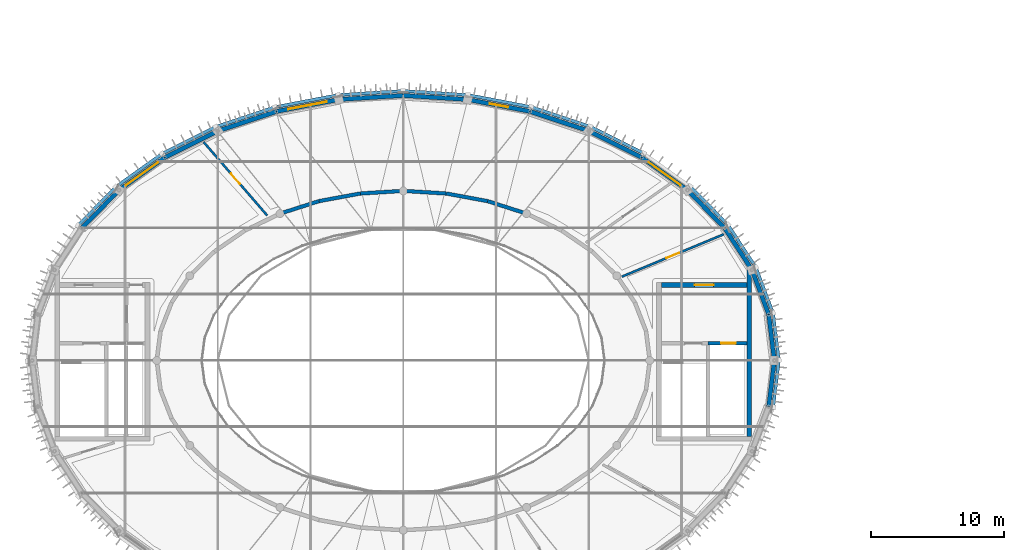
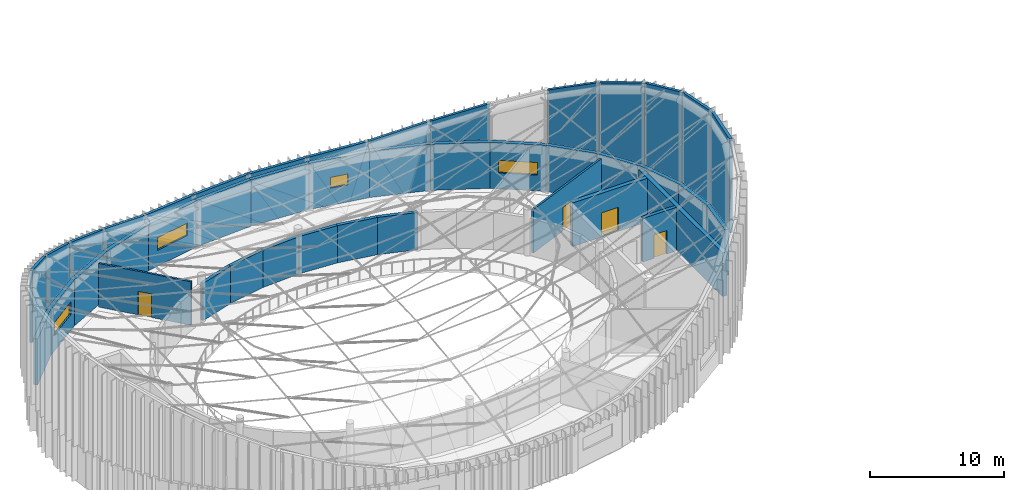
# One storey, part 27 of 36: 42 walls, 4 doors, 4 windows, 8 openings.
"""IFC4 building model written with IfcOpenShell, lengths in metres."""

from ifc_helpers import new_model, si_unit, direction, frame, frame_2d, origin, place, context, subcontext, project, spatial, polyline, rectangle, outline, extrude, material, layer, layer_set, type_object, element, fill, save


model = new_model("IFC4")

# Units and contexts
model_context = context("Model", 3, precision=1e-05, world=origin(), true_north=direction((0.0, 1.0)))
body_context = subcontext(model_context, "Body", "Model", "MODEL_VIEW")
ifc_project = project(units=[si_unit("LENGTHUNIT", "METRE"), si_unit("AREAUNIT", "SQUARE_METRE"), si_unit("VOLUMEUNIT", "CUBIC_METRE"), si_unit("PLANEANGLEUNIT", "RADIAN"), si_unit("MASSUNIT", "GRAM", prefix="KILO")], contexts=[model_context])

# Site, building, storey
site_placement = place(None, origin())
site = spatial("IfcSite", under=ifc_project, at=site_placement, CompositionType="ELEMENT")
building_placement = place(site_placement, origin())
building = spatial("IfcBuilding", under=site, at=building_placement, Name="Tarnveldt Headland Concert Hall", CompositionType="ELEMENT")
storey_placement = place(building_placement, frame((0.0, 0.0, 22.800048828125)))
storey = spatial("IfcBuildingStorey", under=building, at=storey_placement, Name="L05", CompositionType="ELEMENT", Elevation=22.800048828125)

# Walls
ifc_material_1 = material(Name="Concrete C40/50", Category="concrete")
ifc_layer_1 = layer(ifc_material_1, 0.324951171875, Name="Concrete C40/50", Category="concrete")
ifc_layer_set_1 = layer_set([ifc_layer_1], Name="Concrete C40/50")
wall_type_1 = type_object("IfcWallType", Name="WL-CR325", PredefinedType="SHEAR", material=ifc_layer_set_1)
wall_1_placement = place(storey_placement, frame((111.5, 54.5, 0.0), z_axis=(0.0, 0.0, 1.0), x_axis=(-0.121552414401, 0.99258501427, 0.0)))
element("IfcWall", 1, at=wall_1_placement, inside=storey, type_object=wall_type_1, Name="Symphony drum shear wall L05-1", PredefinedType="SHEAR", context=body_context, shape_type="SweptSolid", body=[
    extrude(rectangle(XDim=3.498779296875, YDim=0.324951171875, at=frame_2d((1.74951171875, 0.0))), origin(), (0.0, 0.0, 1.0), 4.199951171875),
])
wall_2_placement = place(storey_placement, frame((111.07470703125, 57.972900390625, 0.0), z_axis=(0.0, 0.0, 1.0), x_axis=(-0.351279653979, 0.936270583058, 0.0)))
element("IfcWall", 2, at=wall_2_placement, inside=storey, type_object=wall_type_1, Name="Symphony drum shear wall L05-2", PredefinedType="SHEAR", context=body_context, shape_type="SweptSolid", body=[
    extrude(rectangle(XDim=3.5966796875, YDim=0.324951171875, at=frame_2d((1.79833984375, 0.0))), origin(), (0.0, 0.0, 1.0), 4.199951171875),
])
wall_3_placement = place(storey_placement, frame((109.811279296875, 61.34033203125, 0.0), z_axis=(0.0, 0.0, 1.0), x_axis=(-0.546611158382, 0.837386554425, 0.0)))
element("IfcWall", 3, at=wall_3_placement, inside=storey, type_object=wall_type_1, Name="Symphony drum shear wall L05-3", PredefinedType="SHEAR", context=body_context, shape_type="SweptSolid", body=[
    extrude(rectangle(XDim=3.773193359375, YDim=0.324951171875, at=frame_2d((1.88671875, 0.0))), origin(), (0.0, 0.0, 1.0), 4.199951171875),
])
wall_4_placement = place(storey_placement, frame((107.748779296875, 64.5, 0.0), z_axis=(0.0, 0.0, 1.0), x_axis=(-0.700051268358, 0.714092586203, 0.0)))
element("IfcWall", 4, at=wall_4_placement, inside=storey, type_object=wall_type_1, Name="Symphony drum shear wall L05-4", PredefinedType="SHEAR", context=body_context, shape_type="SweptSolid", body=[
    extrude(rectangle(XDim=3.9990234375, YDim=0.324951171875, at=frame_2d((1.99951171875, 0.0))), origin(), (0.0, 0.0, 1.0), 4.199951171875),
])

# Wall, opening, window
wall_5_placement = place(storey_placement, frame((104.94921875, 67.355712890625, 0.0), z_axis=(0.0, 0.0, 1.0), x_axis=(-0.813737360708, 0.581232748378, 0.0)))
wall_5 = element("IfcWall", 5, at=wall_5_placement, inside=storey, type_object=wall_type_1, Name="Symphony drum shear wall L05-5", PredefinedType="SHEAR", context=body_context, shape_type="SweptSolid", body=[
    extrude(rectangle(XDim=4.2412109375, YDim=0.324951171875, at=frame_2d((2.12060546875, 0.0))), origin(), (0.0, 0.0, 1.0), 4.199951171875),
])
opening_1_placement = place(wall_5_placement, frame((0.6455078125, 0.0, 1.449951171875)))
opening_1 = element("IfcOpeningElement", 6, at=opening_1_placement, cuts=wall_5, Name="Opening W-D016", PredefinedType="OPENING", context=body_context, shape_type="SweptSolid", body=[
    extrude(rectangle(XDim=2.949951171875, YDim=1.14990234375, at=frame_2d((1.47509765625, 0.574951171875))), frame((0.0, 0.17236328125, 0.0), z_axis=(0.0, -1.0, 0.0), x_axis=(1.0, 0.0, 0.0)), (0.0, 0.0, 1.0), 0.344970703125),
])
ifc_material_2 = material(Name="Acoustic laminated low-iron double glazing", Category="glass")
window_type_1 = type_object("IfcWindowType", Name="WN-23", PartitioningType="SINGLE_PANEL", PredefinedType="WINDOW", material=ifc_material_2)
window_1_placement = place(opening_1_placement, origin())
window_1 = element("IfcWindow", 7, at=window_1_placement, inside=storey, type_object=window_type_1, Name="Drum acoustic gallery window L05-5", OverallHeight=1.14990234375, OverallWidth=2.949951171875, PartitioningType="SINGLE_PANEL", PredefinedType="WINDOW", context=body_context, shape_type="SweptSolid", body=[
    extrude(rectangle(XDim=2.949951171875, YDim=1.14990234375, at=frame_2d((1.47509765625, 0.574951171875))), frame((0.0, 0.030029296875, 0.0), z_axis=(0.0, -1.0, 0.0), x_axis=(1.0, 0.0, 0.0)), (0.0, 0.0, 1.0), 0.06005859375),
])
fill(opening_1, window_1)

# Walls
wall_6_placement = place(storey_placement, frame((101.498046875, 69.82080078125, 0.0), z_axis=(0.0, 0.0, 1.0), x_axis=(-0.894361644392, 0.447344664705, 0.0)))
element("IfcWall", 8, at=wall_6_placement, inside=storey, type_object=wall_type_1, Name="Symphony drum shear wall L05-6", PredefinedType="SHEAR", context=body_context, shape_type="SweptSolid", body=[
    extrude(rectangle(XDim=4.47021484375, YDim=0.324951171875, at=frame_2d((2.235107421875, 0.0))), origin(), (0.0, 0.0, 1.0), 4.199951171875),
])
wall_7_placement = place(storey_placement, frame((97.5, 71.820556640625, 0.0), z_axis=(0.0, 0.0, 1.0), x_axis=(-0.948751350732, 0.316023534699, 0.0)))
element("IfcWall", 9, at=wall_7_placement, inside=storey, type_object=wall_type_1, Name="Symphony drum shear wall L05-7", PredefinedType="SHEAR", context=body_context, shape_type="SweptSolid", body=[
    extrude(rectangle(XDim=4.662353515625, YDim=0.324951171875, at=frame_2d((2.3310546875, 0.0))), origin(), (0.0, 0.0, 1.0), 4.199951171875),
])

# Wall, opening, window
wall_8_placement = place(storey_placement, frame((93.07666015625, 73.2939453125, 0.0), z_axis=(0.0, 0.0, 1.0), x_axis=(-0.982172578083, 0.187981453503, 0.0)))
wall_8 = element("IfcWall", 10, at=wall_8_placement, inside=storey, type_object=wall_type_1, Name="Symphony drum shear wall L05-8", PredefinedType="SHEAR", context=body_context, shape_type="SweptSolid", body=[
    extrude(rectangle(XDim=4.80029296875, YDim=0.324951171875, at=frame_2d((2.400146484375, 0.0))), origin(), (0.0, 0.0, 1.0), 4.199951171875),
])
opening_2_placement = place(wall_8_placement, frame((1.699951171875, 0.0, 1.550048828125)))
opening_2 = element("IfcOpeningElement", 11, at=opening_2_placement, cuts=wall_8, Name="Opening W-D017", PredefinedType="OPENING", context=body_context, shape_type="SweptSolid", body=[
    extrude(rectangle(XDim=1.39990234375, YDim=1.0, at=frame_2d((0.699951171875, 0.5))), frame((0.0, 0.17236328125, 0.0), z_axis=(0.0, -1.0, 0.0), x_axis=(1.0, 0.0, 0.0)), (0.0, 0.0, 1.0), 0.344970703125),
])
window_type_2 = type_object("IfcWindowType", Name="WN-27", PartitioningType="SINGLE_PANEL", PredefinedType="WINDOW", material=ifc_material_2)
window_2_placement = place(opening_2_placement, origin())
window_2 = element("IfcWindow", 12, at=window_2_placement, inside=storey, type_object=window_type_2, Name="Drum acoustic gallery window L05-8", OverallHeight=1.0, OverallWidth=1.39990234375, PartitioningType="SINGLE_PANEL", PredefinedType="WINDOW", context=body_context, shape_type="SweptSolid", body=[
    extrude(rectangle(XDim=1.39990234375, YDim=1.0, at=frame_2d((0.699951171875, 0.5))), frame((0.0, 0.030029296875, 0.0), z_axis=(0.0, -1.0, 0.0), x_axis=(1.0, 0.0, 0.0)), (0.0, 0.0, 1.0), 0.06005859375),
])
fill(opening_2, window_2)

# Walls
for number, where, z_axis, x_axis, name in (
    (13, (88.362060546875, 74.1962890625, 0.0), (0.0, 0.0, 1.0), (-0.998054722924, 0.06234396562, 0.0), "Symphony drum shear wall L05-9"),
    (14, (83.5, 74.5, 0.0), (0.0, 0.0, 1.0), (-0.998054722924, -0.06234396562, 0.0), "Symphony drum shear wall L05-10"),
):
    element("IfcWall", number, at=place(storey_placement, frame(where, z_axis=z_axis, x_axis=x_axis)), inside=storey, type_object=wall_type_1, Name=name, PredefinedType="SHEAR", context=body_context, shape_type="SweptSolid", body=[
        extrude(rectangle(XDim=4.87158203125, YDim=0.324951171875, at=frame_2d((2.435791015625, 0.0))), origin(), (0.0, 0.0, 1.0), 4.199951171875),
    ])

# Wall, opening, window
wall_9_placement = place(storey_placement, frame((78.637939453125, 74.1962890625, 0.0), z_axis=(0.0, 0.0, 1.0), x_axis=(-0.982172578083, -0.187981453503, 0.0)))
wall_9 = element("IfcWall", 15, at=wall_9_placement, inside=storey, type_object=wall_type_1, Name="Symphony drum shear wall L05-11", PredefinedType="SHEAR", context=body_context, shape_type="SweptSolid", body=[
    extrude(rectangle(XDim=4.80029296875, YDim=0.324951171875, at=frame_2d((2.400146484375, 0.0))), origin(), (0.0, 0.0, 1.0), 4.199951171875),
])
opening_3_placement = place(wall_9_placement, frame((0.925048828125, 0.0, 1.449951171875)))
opening_3 = element("IfcOpeningElement", 16, at=opening_3_placement, cuts=wall_9, Name="Opening W-D018", PredefinedType="OPENING", context=body_context, shape_type="SweptSolid", body=[
    extrude(rectangle(XDim=2.949951171875, YDim=1.14990234375, at=frame_2d((1.47509765625, 0.574951171875))), frame((0.0, 0.17236328125, 0.0), z_axis=(0.0, -1.0, 0.0), x_axis=(1.0, 0.0, 0.0)), (0.0, 0.0, 1.0), 0.344970703125),
])
window_3_placement = place(opening_3_placement, origin())
window_3 = element("IfcWindow", 17, at=window_3_placement, inside=storey, type_object=window_type_1, Name="Drum acoustic gallery window L05-11", OverallHeight=1.14990234375, OverallWidth=2.949951171875, PartitioningType="SINGLE_PANEL", PredefinedType="WINDOW", context=body_context, shape_type="SweptSolid", body=[
    extrude(rectangle(XDim=2.949951171875, YDim=1.14990234375, at=frame_2d((1.47509765625, 0.574951171875))), frame((0.0, 0.030029296875, 0.0), z_axis=(0.0, -1.0, 0.0), x_axis=(1.0, 0.0, 0.0)), (0.0, 0.0, 1.0), 0.06005859375),
])
fill(opening_3, window_3)

# Walls
wall_10_placement = place(storey_placement, frame((73.92333984375, 73.2939453125, 0.0), z_axis=(0.0, 0.0, 1.0), x_axis=(-0.948751350732, -0.316023534699, 0.0)))
element("IfcWall", 18, at=wall_10_placement, inside=storey, type_object=wall_type_1, Name="Symphony drum shear wall L05-12", PredefinedType="SHEAR", context=body_context, shape_type="SweptSolid", body=[
    extrude(rectangle(XDim=4.662353515625, YDim=0.324951171875, at=frame_2d((2.3310546875, 0.0))), origin(), (0.0, 0.0, 1.0), 4.199951171875),
])
wall_11_placement = place(storey_placement, frame((69.5, 71.820556640625, 0.0), z_axis=(0.0, 0.0, 1.0), x_axis=(-0.894361644392, -0.447344664705, 0.0)))
element("IfcWall", 19, at=wall_11_placement, inside=storey, type_object=wall_type_1, Name="Symphony drum shear wall L05-13", PredefinedType="SHEAR", context=body_context, shape_type="SweptSolid", body=[
    extrude(rectangle(XDim=4.47021484375, YDim=0.324951171875, at=frame_2d((2.235107421875, 0.0))), origin(), (0.0, 0.0, 1.0), 4.199951171875),
])

# Wall, opening, window
wall_12_placement = place(storey_placement, frame((65.501953125, 69.82080078125, 0.0), z_axis=(0.0, 0.0, 1.0), x_axis=(-0.813737360708, -0.581232748378, 0.0)))
wall_12 = element("IfcWall", 20, at=wall_12_placement, inside=storey, type_object=wall_type_1, Name="Symphony drum shear wall L05-14", PredefinedType="SHEAR", context=body_context, shape_type="SweptSolid", body=[
    extrude(rectangle(XDim=4.2412109375, YDim=0.324951171875, at=frame_2d((2.12060546875, 0.0))), origin(), (0.0, 0.0, 1.0), 4.199951171875),
])
opening_4_placement = place(wall_12_placement, frame((0.6455078125, 0.0, 1.449951171875)))
opening_4 = element("IfcOpeningElement", 21, at=opening_4_placement, cuts=wall_12, Name="Opening W-D019", PredefinedType="OPENING", context=body_context, shape_type="SweptSolid", body=[
    extrude(rectangle(XDim=2.949951171875, YDim=1.14990234375, at=frame_2d((1.47509765625, 0.574951171875))), frame((0.0, 0.17236328125, 0.0), z_axis=(0.0, -1.0, 0.0), x_axis=(1.0, 0.0, 0.0)), (0.0, 0.0, 1.0), 0.344970703125),
])
window_4_placement = place(opening_4_placement, origin())
window_4 = element("IfcWindow", 22, at=window_4_placement, inside=storey, type_object=window_type_1, Name="Drum acoustic gallery window L05-14", OverallHeight=1.14990234375, OverallWidth=2.949951171875, PartitioningType="SINGLE_PANEL", PredefinedType="WINDOW", context=body_context, shape_type="SweptSolid", body=[
    extrude(rectangle(XDim=2.949951171875, YDim=1.14990234375, at=frame_2d((1.47509765625, 0.574951171875))), frame((0.0, 0.030029296875, 0.0), z_axis=(0.0, -1.0, 0.0), x_axis=(1.0, 0.0, 0.0)), (0.0, 0.0, 1.0), 0.06005859375),
])
fill(opening_4, window_4)

# Walls
wall_13_placement = place(storey_placement, frame((62.05078125, 67.355712890625, 0.0), z_axis=(0.0, 0.0, 1.0), x_axis=(-0.700051268358, -0.714092586203, 0.0)))
element("IfcWall", 23, at=wall_13_placement, inside=storey, type_object=wall_type_1, Name="Symphony drum shear wall L05-15", PredefinedType="SHEAR", context=body_context, shape_type="SweptSolid", body=[
    extrude(rectangle(XDim=3.9990234375, YDim=0.324951171875, at=frame_2d((1.99951171875, 0.0))), origin(), (0.0, 0.0, 1.0), 4.199951171875),
])
wall_14_placement = place(storey_placement, frame((111.07470703125, 51.027099609375, 0.0), z_axis=(0.0, 0.0, 1.0), x_axis=(0.121552414401, 0.99258501427, 0.0)))
element("IfcWall", 24, at=wall_14_placement, inside=storey, type_object=wall_type_1, Name="Symphony drum shear wall L05-36", PredefinedType="SHEAR", context=body_context, shape_type="SweptSolid", body=[
    extrude(rectangle(XDim=3.498779296875, YDim=0.324951171875, at=frame_2d((1.74951171875, 0.0))), origin(), (0.0, 0.0, 1.0), 4.199951171875),
])

# Wall, opening, door
ifc_layer_2 = layer(ifc_material_1, 0.35009765625, Name="Concrete C40/50", Category="concrete")
ifc_layer_set_2 = layer_set([ifc_layer_2], Name="Concrete C40/50")
wall_type_2 = type_object("IfcWallType", Name="WL-CR350", PredefinedType="SHEAR", material=ifc_layer_set_2)
wall_15_placement = place(storey_placement, frame((102.97509765625, 60.199951171875, 0.0), z_axis=(0.0, 0.0, 1.0), x_axis=(1.0, 0.0, 0.0)))
wall_15 = element("IfcWall", 25, at=wall_15_placement, inside=storey, type_object=wall_type_2, Name="Core C2 north shear wall L05", PredefinedType="SHEAR", context=body_context, shape_type="SweptSolid", body=[
    extrude(rectangle(XDim=6.449951171875, YDim=0.35009765625, at=frame_2d((3.22509765625, 0.0))), origin(), (0.0, 0.0, 1.0), 3.97998046875),
])
opening_5_placement = place(wall_15_placement, frame((2.5, 0.0, 0.0)))
opening_5 = element("IfcOpeningElement", 26, at=opening_5_placement, cuts=wall_15, Name="Opening LBD-C2-L05", PredefinedType="OPENING", context=body_context, shape_type="SweptSolid", body=[
    extrude(rectangle(XDim=1.449951171875, YDim=2.199951171875, at=frame_2d((0.72509765625, 1.10009765625))), frame((0.0, 0.18505859375, 0.0), z_axis=(0.0, -1.0, 0.0), x_axis=(1.0, 0.0, 0.0)), (0.0, 0.0, 1.0), 0.3701171875),
])
ifc_material_3 = material(Name="Galvanised painted steel sheet", Category="steel")
door_type_1 = type_object("IfcDoorType", Name="DR-LB145", OperationType="NOTDEFINED", PredefinedType="DOOR", material=ifc_material_3)
door_1_placement = place(opening_5_placement, origin())
door_1 = element("IfcDoor", 27, at=door_1_placement, inside=storey, type_object=door_type_1, Name="Core C2 lobby entrance door L05", OperationType="SINGLE_SWING_RIGHT", OverallHeight=2.199951171875, OverallWidth=1.449951171875, PredefinedType="DOOR", context=body_context, shape_type="SweptSolid", body=[
    extrude(rectangle(XDim=1.449951171875, YDim=2.199951171875, at=frame_2d((0.72509765625, 1.10009765625))), frame((0.0, 0.02490234375, 0.0), z_axis=(0.0, -1.0, 0.0), x_axis=(1.0, 0.0, 0.0)), (0.0, 0.0, 1.0), 0.050048828125),
])
fill(opening_5, door_1)

# Walls
wall_16_placement = place(storey_placement, frame((109.60009765625, 48.77490234375, 0.0), z_axis=(0.0, 0.0, 1.0), x_axis=(0.0, 1.0, 0.0)))
element("IfcWall", 28, at=wall_16_placement, inside=storey, type_object=wall_type_2, Name="Core C2 east shear wall L05", PredefinedType="SHEAR", context=body_context, shape_type="SweptSolid", body=[
    extrude(rectangle(XDim=12.565185546875, YDim=0.35009765625, at=frame_2d((6.28271484375, 0.0))), origin(), (0.0, 0.0, 1.0), 3.97998046875),
])
ifc_material_4 = material(Name="Coral-toned precast concrete C40/50", Category="concrete")
ifc_layer_3 = layer(ifc_material_4, 0.239990234375, Name="Coral-toned precast concrete C40/50", Category="concrete")
ifc_layer_set_3 = layer_set([ifc_layer_3], Name="Coral-toned precast concrete C40/50")
wall_type_3 = type_object("IfcWallType", Name="WL-EX240", PredefinedType="SOLIDWALL", material=ifc_layer_set_3)
wall_17_placement = place(storey_placement, frame((111.83740234375, 54.541259765625, 3.800048828125), z_axis=(0.0, 0.0, 1.0), x_axis=(-0.121543996247, 0.992586045125, 0.0)))
element("IfcWall", 29, at=wall_17_placement, inside=storey, type_object=wall_type_3, Name="Crown saddle acoustic tympanum panel 1", PredefinedType="SOLIDWALL", context=body_context, shape_type="SweptSolid", body=[
    extrude(outline(polyline([(0.0, 0.0), (3.4990234375, 0.0), (3.4990234375, 8.554443359375), (0.0, 8.81982421875), (0.0, 0.0)])), frame((0.0, 0.1201171875, 0.0), z_axis=(0.0, -1.0, 0.0), x_axis=(1.0, 0.0, 0.0)), (0.0, 0.0, 1.0), 0.239990234375),
])
wall_18_placement = place(storey_placement, frame((111.392822265625, 58.09228515625, 3.800048828125), z_axis=(0.0, 0.0, 1.0), x_axis=(-0.351220147955, 0.936292906985, 0.0)))
element("IfcWall", 30, at=wall_18_placement, inside=storey, type_object=wall_type_3, Name="Crown saddle acoustic tympanum panel 2", PredefinedType="SOLIDWALL", context=body_context, shape_type="SweptSolid", body=[
    extrude(outline(polyline([(0.0, 0.0), (3.5966796875, 0.0), (3.596435546875, 7.79052734375), (0.0, 8.554443359375), (0.0, 0.0)])), frame((0.0, 0.1201171875, 0.0), z_axis=(0.0, -1.0, 0.0), x_axis=(1.0, 0.0, 0.0)), (0.0, 0.0, 1.0), 0.239990234375),
])
wall_19_placement = place(storey_placement, frame((110.09619140625, 61.5263671875, 3.800048828125), z_axis=(0.0, 0.0, 1.0), x_axis=(-0.546686144595, 0.837337601752, 0.0)))
element("IfcWall", 31, at=wall_19_placement, inside=storey, type_object=wall_type_3, Name="Crown saddle acoustic tympanum panel 3", PredefinedType="SOLIDWALL", context=body_context, shape_type="SweptSolid", body=[
    extrude(outline(polyline([(0.0, 0.0), (3.773193359375, 0.0), (3.773193359375, 6.619873046875), (0.0, 7.79052734375), (0.0, 0.0)])), frame((0.0, 0.1201171875, 0.0), z_axis=(0.0, -1.0, 0.0), x_axis=(1.0, 0.0, 0.0)), (0.0, 0.0, 1.0), 0.239990234375),
])
wall_20_placement = place(storey_placement, frame((107.991455078125, 64.738037109375, 3.800048828125), z_axis=(0.0, 0.0, 1.0), x_axis=(-0.700051268358, 0.714092586203, 0.0)))
element("IfcWall", 32, at=wall_20_placement, inside=storey, type_object=wall_type_3, Name="Crown saddle acoustic tympanum panel 4", PredefinedType="SOLIDWALL", context=body_context, shape_type="SweptSolid", body=[
    extrude(outline(polyline([(0.0, 0.0), (3.9990234375, 0.0), (3.9990234375, 5.183837890625), (0.0, 6.619873046875), (0.0, 0.0)])), frame((0.0, 0.1201171875, 0.0), z_axis=(0.0, -1.0, 0.0), x_axis=(1.0, 0.0, 0.0)), (0.0, 0.0, 1.0), 0.239990234375),
])
wall_21_placement = place(storey_placement, frame((101.650146484375, 70.125, 3.800048828125), z_axis=(0.0, 0.0, 1.0), x_axis=(-0.894383494328, 0.447300978172, 0.0)))
element("IfcWall", 33, at=wall_21_placement, inside=storey, type_object=wall_type_3, Name="Crown saddle acoustic tympanum panel 6", PredefinedType="SOLIDWALL", context=body_context, shape_type="SweptSolid", body=[
    extrude(outline(polyline([(0.0, 0.0), (4.47021484375, 0.0), (4.47021484375, 2.219970703125), (0.0, 3.656005859375), (0.0, 0.0)])), frame((0.0, 0.1201171875, 0.0), z_axis=(0.0, -1.0, 0.0), x_axis=(1.0, 0.0, 0.0)), (0.0, 0.0, 1.0), 0.239990234375),
])
wall_22_placement = place(storey_placement, frame((97.607421875, 72.14306640625, 3.800048828125), z_axis=(0.0, 0.0, 1.0), x_axis=(-0.948751350732, 0.316023534699, 0.0)))
element("IfcWall", 34, at=wall_22_placement, inside=storey, type_object=wall_type_3, Name="Crown saddle acoustic tympanum panel 7", PredefinedType="SOLIDWALL", context=body_context, shape_type="SweptSolid", body=[
    extrude(outline(polyline([(0.0, 0.0), (4.662353515625, 0.0), (4.662353515625, 1.04931640625), (0.0, 2.219970703125), (0.0, 0.0)])), frame((0.0, 0.1201171875, 0.0), z_axis=(0.0, -1.0, 0.0), x_axis=(1.0, 0.0, 0.0)), (0.0, 0.0, 1.0), 0.239990234375),
])
wall_23_placement = place(storey_placement, frame((93.140380859375, 73.627685546875, 3.800048828125), z_axis=(0.0, 0.0, 1.0), x_axis=(-0.98217078068, 0.187990844401, 0.0)))
element("IfcWall", 35, at=wall_23_placement, inside=storey, type_object=wall_type_3, Name="Crown saddle acoustic tympanum panel 8", PredefinedType="SOLIDWALL", context=body_context, shape_type="SweptSolid", body=[
    extrude(outline(polyline([(0.0, 0.0), (4.800048828125, 0.0), (4.800048828125, 0.699951171875), (0.0, 1.04931640625), (0.0, 0.0)])), frame((0.0, 0.1201171875, 0.0), z_axis=(0.0, -1.0, 0.0), x_axis=(1.0, 0.0, 0.0)), (0.0, 0.0, 1.0), 0.239990234375),
])
for number, where, z_axis, x_axis, name in (
    (36, (88.38330078125, 74.535400390625, 3.800048828125), (0.0, 0.0, 1.0), (-0.99805160335, 0.062393886325, 0.0), "Crown saddle acoustic tympanum panel 9"),
    (37, (83.478759765625, 74.83935546875, 3.800048828125), (0.0, 0.0, 1.0), (-0.99805160335, -0.062393886325, 0.0), "Crown saddle acoustic tympanum panel 10"),
):
    element("IfcWall", number, at=place(storey_placement, frame(where, z_axis=z_axis, x_axis=x_axis)), inside=storey, type_object=wall_type_3, Name=name, PredefinedType="SOLIDWALL", context=body_context, shape_type="SweptSolid", body=[
        extrude(outline(polyline([(0.0, 0.0), (4.87158203125, 0.0), (4.87158203125, 0.699951171875), (0.0, 0.699951171875), (0.0, 0.0)])), frame((0.0, 0.1201171875, 0.0), z_axis=(0.0, -1.0, 0.0), x_axis=(1.0, 0.0, 0.0)), (0.0, 0.0, 1.0), 0.239990234375),
    ])
wall_24_placement = place(storey_placement, frame((78.573974609375, 74.530029296875, 3.800048828125), z_axis=(0.0, 0.0, 1.0), x_axis=(-0.98217078068, -0.187990844401, 0.0)))
element("IfcWall", 38, at=wall_24_placement, inside=storey, type_object=wall_type_3, Name="Crown saddle acoustic tympanum panel 11", PredefinedType="SOLIDWALL", context=body_context, shape_type="SweptSolid", body=[
    extrude(outline(polyline([(0.0, 0.0), (4.800048828125, 0.0), (4.800048828125, 1.04931640625), (0.0, 0.699951171875), (0.0, 0.0)])), frame((0.0, 0.1201171875, 0.0), z_axis=(0.0, -1.0, 0.0), x_axis=(1.0, 0.0, 0.0)), (0.0, 0.0, 1.0), 0.239990234375),
])
wall_25_placement = place(storey_placement, frame((73.81591796875, 73.616455078125, 3.800048828125), z_axis=(0.0, 0.0, 1.0), x_axis=(-0.948751350732, -0.316023534699, 0.0)))
element("IfcWall", 39, at=wall_25_placement, inside=storey, type_object=wall_type_3, Name="Crown saddle acoustic tympanum panel 12", PredefinedType="SOLIDWALL", context=body_context, shape_type="SweptSolid", body=[
    extrude(outline(polyline([(0.0, 0.0), (4.662353515625, 0.0), (4.662353515625, 2.219970703125), (0.0, 1.04931640625), (0.0, 0.0)])), frame((0.0, 0.1201171875, 0.0), z_axis=(0.0, -1.0, 0.0), x_axis=(1.0, 0.0, 0.0)), (0.0, 0.0, 1.0), 0.239990234375),
])
wall_26_placement = place(storey_placement, frame((69.347900390625, 72.12451171875, 3.800048828125), z_axis=(0.0, 0.0, 1.0), x_axis=(-0.894383494328, -0.447300978172, 0.0)))
element("IfcWall", 40, at=wall_26_placement, inside=storey, type_object=wall_type_3, Name="Crown saddle acoustic tympanum panel 13", PredefinedType="SOLIDWALL", context=body_context, shape_type="SweptSolid", body=[
    extrude(outline(polyline([(0.0, 0.0), (4.47021484375, 0.0), (4.47021484375, 3.656005859375), (0.0, 2.219970703125), (0.0, 0.0)])), frame((0.0, 0.1201171875, 0.0), z_axis=(0.0, -1.0, 0.0), x_axis=(1.0, 0.0, 0.0)), (0.0, 0.0, 1.0), 0.239990234375),
])
wall_27_placement = place(storey_placement, frame((65.30419921875, 70.09765625, 3.800048828125), z_axis=(0.0, 0.0, 1.0), x_axis=(-0.813717912107, -0.581259975843, 0.0)))
element("IfcWall", 41, at=wall_27_placement, inside=storey, type_object=wall_type_3, Name="Crown saddle acoustic tympanum panel 14", PredefinedType="SOLIDWALL", context=body_context, shape_type="SweptSolid", body=[
    extrude(outline(polyline([(0.0, 0.0), (4.240966796875, 0.0), (4.2412109375, 5.183837890625), (0.0, 3.656005859375), (0.0, 0.0)])), frame((0.0, 0.1201171875, 0.0), z_axis=(0.0, -1.0, 0.0), x_axis=(1.0, 0.0, 0.0)), (0.0, 0.0, 1.0), 0.239990234375),
])
wall_28_placement = place(storey_placement, frame((61.80810546875, 67.59375, 3.800048828125), z_axis=(0.0, 0.0, 1.0), x_axis=(-0.700051268358, -0.714092586203, 0.0)))
element("IfcWall", 42, at=wall_28_placement, inside=storey, type_object=wall_type_3, Name="Crown saddle acoustic tympanum panel 15", PredefinedType="SOLIDWALL", context=body_context, shape_type="SweptSolid", body=[
    extrude(outline(polyline([(0.0, 0.0), (3.9990234375, 0.0), (3.9990234375, 6.619873046875), (0.0, 5.183837890625), (0.0, 0.0)])), frame((0.0, 0.1201171875, 0.0), z_axis=(0.0, -1.0, 0.0), x_axis=(1.0, 0.0, 0.0)), (0.0, 0.0, 1.0), 0.239990234375),
])
wall_29_placement = place(storey_placement, frame((111.412109375, 50.985595703125, 3.800048828125), z_axis=(0.0, 0.0, 1.0), x_axis=(0.121543996247, 0.992586045125, 0.0)))
element("IfcWall", 43, at=wall_29_placement, inside=storey, type_object=wall_type_3, Name="Crown saddle acoustic tympanum panel 36", PredefinedType="SOLIDWALL", context=body_context, shape_type="SweptSolid", body=[
    extrude(outline(polyline([(0.0, 0.0), (3.4990234375, 0.0), (3.4990234375, 8.81982421875), (0.0, 8.554443359375), (0.0, 0.0)])), frame((0.0, 0.1201171875, 0.0), z_axis=(0.0, -1.0, 0.0), x_axis=(1.0, 0.0, 0.0)), (0.0, 0.0, 1.0), 0.239990234375),
])

# Wall, opening, door
ifc_material_5 = material(Name="Acoustic multi-layer gypsum and mineral-wool partition", Category="gypsum")
ifc_layer_4 = layer(ifc_material_5, 0.1650390625, Name="Acoustic multi-layer gypsum and mineral-wool partition", Category="gypsum")
ifc_layer_set_4 = layer_set([ifc_layer_4], Name="Acoustic multi-layer gypsum and mineral-wool partition")
wall_type_4 = type_object("IfcWallType", Name="WL-PT165", PredefinedType="PARTITIONING", material=ifc_layer_set_4)
wall_30_placement = place(storey_placement, frame((99.986572265625, 60.826904296875, 0.0), z_axis=(0.0, 0.0, 1.0), x_axis=(0.923382534701, 0.383881094363, 0.0)))
wall_30 = element("IfcWall", 44, at=wall_30_placement, inside=storey, type_object=wall_type_4, Name="Interior acoustic partition L05-251", PredefinedType="PARTITIONING", context=body_context, shape_type="SweptSolid", body=[
    extrude(rectangle(XDim=8.335205078125, YDim=0.1650390625, at=frame_2d((4.16748046875, 0.0))), origin(), (0.0, 0.0, 1.0), 3.973876953125),
])
opening_6_placement = place(wall_30_placement, frame((3.642578125, 0.0, 0.0)))
opening_6 = element("IfcOpeningElement", 45, at=opening_6_placement, cuts=wall_30, Name="Opening D-L05-247", PredefinedType="OPENING", context=body_context, shape_type="SweptSolid", body=[
    extrude(rectangle(XDim=1.050048828125, YDim=2.14990234375, at=frame_2d((0.52490234375, 1.074951171875))), frame((0.0, 0.092529296875, 0.0), z_axis=(0.0, -1.0, 0.0), x_axis=(1.0, 0.0, 0.0)), (0.0, 0.0, 1.0), 0.18505859375),
])
ifc_material_6 = material(Name="Treated East African mvule hardwood", Category="wood")
door_type_2 = type_object("IfcDoorType", Name="DR-RM105", OperationType="NOTDEFINED", PredefinedType="DOOR", material=ifc_material_6)
door_2_placement = place(opening_6_placement, origin())
door_2 = element("IfcDoor", 46, at=door_2_placement, inside=storey, type_object=door_type_2, Name="Interior room door L05-247", OperationType="SINGLE_SWING_LEFT", OverallHeight=2.14990234375, OverallWidth=1.050048828125, PredefinedType="DOOR", context=body_context, shape_type="SweptSolid", body=[
    extrude(rectangle(XDim=1.050048828125, YDim=2.14990234375, at=frame_2d((0.52490234375, 1.074951171875))), frame((0.0, 0.02490234375, 0.0), z_axis=(0.0, -1.0, 0.0), x_axis=(1.0, 0.0, 0.0)), (0.0, 0.0, 1.0), 0.050048828125),
])
fill(opening_6, door_2)

wall_31_placement = place(storey_placement, frame((73.233642578125, 65.444580078125, 0.0), z_axis=(0.0, 0.0, 1.0), x_axis=(-0.654589002403, 0.755984945573, 0.0)))
wall_31 = element("IfcWall", 47, at=wall_31_placement, inside=storey, type_object=wall_type_4, Name="Interior acoustic partition L05-253", PredefinedType="PARTITIONING", context=body_context, shape_type="SweptSolid", body=[
    extrude(rectangle(XDim=7.322021484375, YDim=0.1650390625, at=frame_2d((3.6611328125, 0.0))), origin(), (0.0, 0.0, 1.0), 3.973876953125),
])
opening_7_placement = place(wall_31_placement, frame((3.135986328125, 0.0, 0.0)))
opening_7 = element("IfcOpeningElement", 48, at=opening_7_placement, cuts=wall_31, Name="Opening D-L05-249", PredefinedType="OPENING", context=body_context, shape_type="SweptSolid", body=[
    extrude(rectangle(XDim=1.050048828125, YDim=2.14990234375, at=frame_2d((0.52490234375, 1.074951171875))), frame((0.0, 0.092529296875, 0.0), z_axis=(0.0, -1.0, 0.0), x_axis=(1.0, 0.0, 0.0)), (0.0, 0.0, 1.0), 0.18505859375),
])
door_3_placement = place(opening_7_placement, origin())
door_3 = element("IfcDoor", 49, at=door_3_placement, inside=storey, type_object=door_type_2, Name="Interior room door L05-249", OperationType="SINGLE_SWING_LEFT", OverallHeight=2.14990234375, OverallWidth=1.050048828125, PredefinedType="DOOR", context=body_context, shape_type="SweptSolid", body=[
    extrude(rectangle(XDim=1.050048828125, YDim=2.14990234375, at=frame_2d((0.52490234375, 1.074951171875))), frame((0.0, 0.02490234375, 0.0), z_axis=(0.0, -1.0, 0.0), x_axis=(1.0, 0.0, 0.0)), (0.0, 0.0, 1.0), 0.050048828125),
])
fill(opening_7, door_3)

# Walls
ifc_layer_5 = layer(ifc_material_1, 0.27490234375, Name="Concrete C40/50", Category="concrete")
ifc_layer_set_5 = layer_set([ifc_layer_5], Name="Concrete C40/50")
wall_type_5 = type_object("IfcWallType", Name="WL-SH275", PredefinedType="SHEAR", material=ifc_layer_set_5)
wall_32_placement = place(storey_placement, frame((92.800048828125, 65.585205078125, 0.0), z_axis=(0.0, 0.0, 1.0), x_axis=(-0.952183186678, 0.305527705795, 0.0)))
element("IfcWall", 50, at=wall_32_placement, inside=storey, type_object=wall_type_5, Name="Acoustic inner box wall L05-7", PredefinedType="SHEAR", context=body_context, shape_type="SweptSolid", body=[
    extrude(rectangle(XDim=3.0859375, YDim=0.27490234375, at=frame_2d((1.54296875, 0.0))), origin(), (0.0, 0.0, 1.0), 3.39990234375),
])
wall_33_placement = place(storey_placement, frame((89.861572265625, 66.528076171875, 0.0), z_axis=(0.0, 0.0, 1.0), x_axis=(-0.9834240594, 0.18132048807, 0.0)))
element("IfcWall", 51, at=wall_33_placement, inside=storey, type_object=wall_type_5, Name="Acoustic inner box wall L05-8", PredefinedType="SHEAR", context=body_context, shape_type="SweptSolid", body=[
    extrude(rectangle(XDim=3.184326171875, YDim=0.27490234375, at=frame_2d((1.59228515625, 0.0))), origin(), (0.0, 0.0, 1.0), 3.39990234375),
])
for number, where, z_axis, x_axis, name in (
    (52, (86.72998046875, 67.10546875, 0.0), (0.0, 0.0, 1.0), (-0.99819038223, 0.060132859761, 0.0), "Acoustic inner box wall L05-9"),
    (53, (83.5, 67.300048828125, 0.0), (0.0, 0.0, 1.0), (-0.99819038223, -0.060132859761, 0.0), "Acoustic inner box wall L05-10"),
):
    element("IfcWall", number, at=place(storey_placement, frame(where, z_axis=z_axis, x_axis=x_axis)), inside=storey, type_object=wall_type_5, Name=name, PredefinedType="SHEAR", context=body_context, shape_type="SweptSolid", body=[
        extrude(rectangle(XDim=3.23583984375, YDim=0.27490234375, at=frame_2d((1.617919921875, 0.0))), origin(), (0.0, 0.0, 1.0), 3.39990234375),
    ])
wall_34_placement = place(storey_placement, frame((80.27001953125, 67.10546875, 0.0), z_axis=(0.0, 0.0, 1.0), x_axis=(-0.9834240594, -0.18132048807, 0.0)))
element("IfcWall", 54, at=wall_34_placement, inside=storey, type_object=wall_type_5, Name="Acoustic inner box wall L05-11", PredefinedType="SHEAR", context=body_context, shape_type="SweptSolid", body=[
    extrude(rectangle(XDim=3.184326171875, YDim=0.27490234375, at=frame_2d((1.59228515625, 0.0))), origin(), (0.0, 0.0, 1.0), 3.39990234375),
])
wall_35_placement = place(storey_placement, frame((77.138427734375, 66.528076171875, 0.0), z_axis=(0.0, 0.0, 1.0), x_axis=(-0.952183186678, -0.305527705795, 0.0)))
element("IfcWall", 55, at=wall_35_placement, inside=storey, type_object=wall_type_5, Name="Acoustic inner box wall L05-12", PredefinedType="SHEAR", context=body_context, shape_type="SweptSolid", body=[
    extrude(rectangle(XDim=3.0859375, YDim=0.27490234375, at=frame_2d((1.54296875, 0.0))), origin(), (0.0, 0.0, 1.0), 3.39990234375),
])

# Wall, opening, door
wall_36_placement = place(storey_placement, frame((106.5, 55.800048828125, 0.0), z_axis=(0.0, 0.0, 1.0), x_axis=(1.0, 0.0, 0.0)))
wall_36 = element("IfcWall", 56, at=wall_36_placement, inside=storey, type_object=wall_type_5, Name="Core C2 lift shaft front wall L05", PredefinedType="SHEAR", context=body_context, shape_type="SweptSolid", body=[
    extrude(rectangle(XDim=2.925048828125, YDim=0.27490234375, at=frame_2d((1.46240234375, 0.0))), origin(), (0.0, 0.0, 1.0), 3.97998046875),
])
opening_8_placement = place(wall_36_placement, frame((0.982421875, 0.0, 0.0)))
opening_8 = element("IfcOpeningElement", 57, at=opening_8_placement, cuts=wall_36, Name="Opening LD-LP-02-L05", PredefinedType="OPENING", context=body_context, shape_type="SweptSolid", body=[
    extrude(rectangle(XDim=1.10009765625, YDim=2.14990234375, at=frame_2d((0.550048828125, 1.074951171875))), frame((0.0, 0.1474609375, 0.0), z_axis=(0.0, -1.0, 0.0), x_axis=(1.0, 0.0, 0.0)), (0.0, 0.0, 1.0), 0.294921875),
])
door_type_3 = type_object("IfcDoorType", Name="LD-110", OperationType="NOTDEFINED", PredefinedType="DOOR", material=ifc_material_3)
door_4_placement = place(opening_8_placement, origin())
door_4 = element("IfcDoor", 58, at=door_4_placement, inside=storey, type_object=door_type_3, Name="Lift LP-02 sliding landing door L05", OperationType="DOUBLE_DOOR_SLIDING", OverallHeight=2.14990234375, OverallWidth=1.10009765625, PredefinedType="DOOR", context=body_context, shape_type="SweptSolid", body=[
    extrude(rectangle(XDim=1.10009765625, YDim=2.14990234375, at=frame_2d((0.550048828125, 1.074951171875))), frame((0.0, 0.02490234375, 0.0), z_axis=(0.0, -1.0, 0.0), x_axis=(1.0, 0.0, 0.0)), (0.0, 0.0, 1.0), 0.050048828125),
])
fill(opening_8, door_4)

save(model, "model.ifc")
